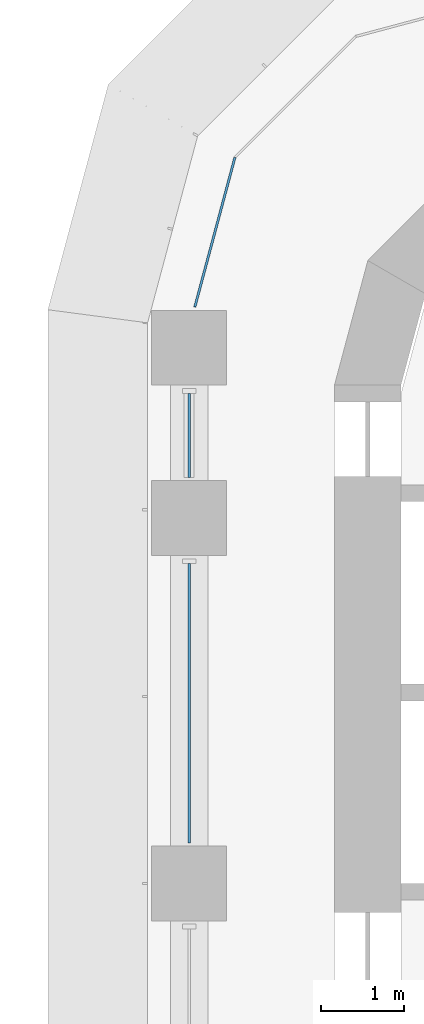
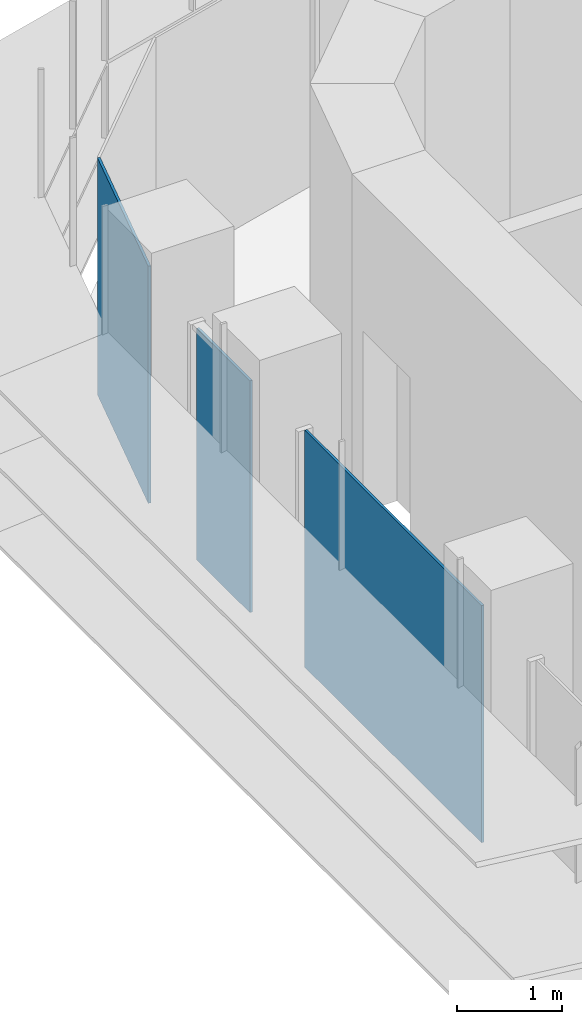
# One storey, part 13 of 22: 3 plates, 2 elements without a shape of their own.
"""IFC4 building model written with IfcOpenShell, lengths in metres."""

from ifc_helpers import new_model, si_unit, direction, frame, origin, place, context, subcontext, project, spatial, polyline, outline, extrude, source, transform, mapped, material, layer, layer_set, type_object, element, aggregate, save


model = new_model("IFC4")

# Units and contexts
model_context = context("Model", 3, precision=1e-05, world=origin(), true_north=direction((0.0, 1.0)))
body_context = subcontext(model_context, "Body", "Model", "MODEL_VIEW")
ifc_project = project(units=[si_unit("LENGTHUNIT", "METRE"), si_unit("AREAUNIT", "SQUARE_METRE"), si_unit("VOLUMEUNIT", "CUBIC_METRE"), si_unit("PLANEANGLEUNIT", "RADIAN"), si_unit("MASSUNIT", "GRAM", prefix="KILO")], contexts=[model_context])

# Site, building, storey
site_placement = place(None, origin())
site = spatial("IfcSite", under=ifc_project, at=site_placement, CompositionType="ELEMENT")
building_placement = place(site_placement, origin())
building = spatial("IfcBuilding", under=site, at=building_placement, Name="Zarbagh Exchange Tower", CompositionType="ELEMENT")
storey_placement = place(building_placement, frame((0.0, 0.0, 105.60009765625)))
storey = spatial("IfcBuildingStorey", under=building, at=storey_placement, Name="L24", CompositionType="ELEMENT", Elevation=105.60009765625)

# Curtain wall, plate
ifc_material_1 = material(Name="Anodised aluminium frame and glazing", Category="aluminium")
curtain_wall_type = type_object("IfcCurtainWallType", Name="CWA Ribbon glazing, lower zones", PredefinedType="NOTDEFINED", material=ifc_material_1)
curtain_wall_1_placement = place(storey_placement, origin())
curtain_wall_1 = element("IfcCurtainWall", 1, at=curtain_wall_1_placement, inside=storey, type_object=curtain_wall_type, Name="CWA56 curtain wall", PredefinedType="NOTDEFINED")
ifc_material_2 = material(Name="Low-e double glazed unit, 6+12+6 mm")
ifc_layer = layer(ifc_material_2, 0.028076171875)
ifc_layer_set = layer_set([ifc_layer], Name="PAA Glazing panel, Low-e double glazed unit, 6+12+6 mm")
plate_type = type_object("IfcPlateType", Name="PAA Glazing panel, Low-e double glazed unit, 6+12+6 mm", PredefinedType="CURTAIN_PANEL", material=ifc_layer_set)
shared_shape_1 = source(origin(), body_context, "Body", "SweptSolid", [
    extrude(outline(polyline([(0.0, -0.013916015625), (3.360107421875, -0.013916015625), (3.360107421875, 0.013916015625), (0.0, 0.013916015625), (0.0, -0.013916015625)])), origin(), (0.0, 0.0, 1.0), 2.75),
])
placement = place(storey_placement, origin())
plate_1 = element("IfcPlate", 2, at=placement, type_object=plate_type, Name="CWA56 glazing panel 2.1", PredefinedType="CURTAIN_PANEL", context=body_context, shape_type="MappedRepresentation", body=[
    mapped(shared_shape_1, transform((-6.25, 24.099853515625, 0.0), x_axis=(0.0, -1.0, 0.0), y_axis=(1.0, 0.0, 0.0), z_axis=(0.0, 0.0, 1.0))),
])

curtain_wall_2_placement = place(storey_placement, origin())
curtain_wall_2 = element("IfcCurtainWall", 3, at=curtain_wall_2_placement, inside=storey, type_object=curtain_wall_type, Name="CWA55 curtain wall", PredefinedType="NOTDEFINED")
shared_shape_2 = source(origin(), body_context, "Body", "SweptSolid", [
    extrude(outline(polyline([(0.0, -0.013916015625), (1.86474609375, -0.013916015625), (1.86474609375, 0.013916015625), (0.0, 0.013916015625), (0.0, -0.013916015625)])), origin(), (0.0, 0.0, 1.0), 2.75),
])
plate_2 = element("IfcPlate", 4, at=placement, type_object=plate_type, Name="CWA55 glazing panel 1.1", PredefinedType="CURTAIN_PANEL", context=body_context, shape_type="MappedRepresentation", body=[
    mapped(shared_shape_2, transform((-5.69873046875, 28.9912109375, 0.0), x_axis=(-0.258824779902, -0.965924289636, 0.0), y_axis=(0.965924289636, -0.258824779902, 0.0), z_axis=(0.0, 0.0, 1.0))),
])
aggregate(curtain_wall_2, [plate_2])

# Plate
shared_shape_3 = source(origin(), body_context, "Body", "SweptSolid", [
    extrude(outline(polyline([(0.0, -0.013916015625), (1.010009765625, -0.013916015625), (1.010009765625, 0.013916015625), (0.0, 0.013916015625), (0.0, -0.013916015625)])), origin(), (0.0, 0.0, 1.0), 2.68994140625),
])
plate_3 = element("IfcPlate", 5, at=placement, type_object=plate_type, Name="CWA56 glazing panel 1.1", PredefinedType="CURTAIN_PANEL", context=body_context, shape_type="MappedRepresentation", body=[
    mapped(shared_shape_3, transform((-6.25, 26.14990234375, 0.0), x_axis=(0.0, -1.0, 0.0), y_axis=(1.0, 0.0, 0.0), z_axis=(0.0, 0.0, 1.0))),
])

aggregate(curtain_wall_1, [plate_3, plate_1])

save(model, "model.ifc")
